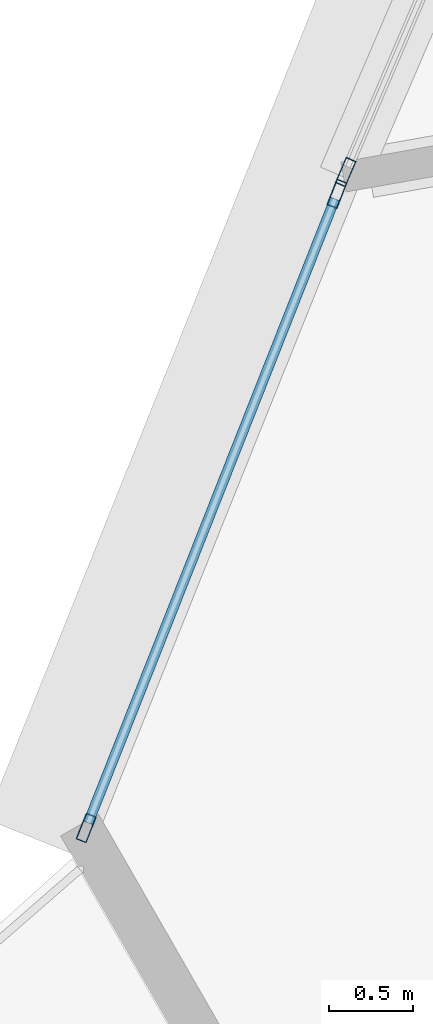
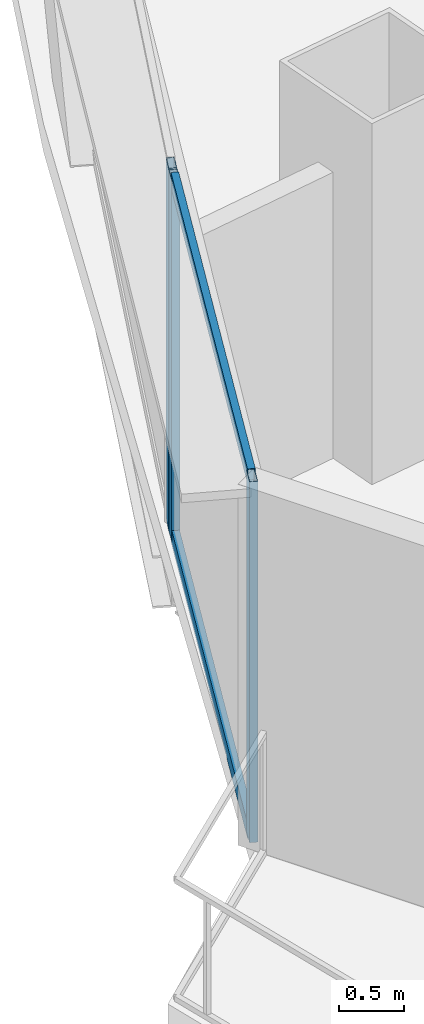
# One storey, part 4 of 38: 5 members, 2 elements without a shape of their own.
"""IFC4 building model written with IfcOpenShell, lengths in metres."""

from ifc_helpers import new_model, si_unit, direction, frame, origin, origin_2d, place, context, subcontext, project, spatial, hollow_rectangle, extrude, source, transform, mapped, material, layer, layer_set, material_profile, profile_set, type_object, element, aggregate, save


model = new_model("IFC4")

# Units and contexts
model_context = context("Model", 3, precision=1e-05, world=origin(), true_north=direction((0.0, 1.0)))
body_context = subcontext(model_context, "Body", "Model", "MODEL_VIEW")
ifc_project = project(units=[si_unit("LENGTHUNIT", "METRE"), si_unit("AREAUNIT", "SQUARE_METRE"), si_unit("VOLUMEUNIT", "CUBIC_METRE"), si_unit("PLANEANGLEUNIT", "RADIAN"), si_unit("MASSUNIT", "GRAM", prefix="KILO"), si_unit("THERMODYNAMICTEMPERATUREUNIT", "KELVIN"), si_unit("POWERUNIT", "WATT")], contexts=[model_context])

# Site, building, storey
site_placement = place(None, origin())
site = spatial("IfcSite", under=ifc_project, at=site_placement, CompositionType="ELEMENT")
building_placement = place(site_placement, origin())
building = spatial("IfcBuilding", under=site, at=building_placement, Name="Yunzhuo Pagoda Commons", CompositionType="ELEMENT")
storey_placement = place(building_placement, frame((0.0, 0.0, 37.659912109375)))
storey = spatial("IfcBuildingStorey", under=building, at=storey_placement, Name="L09", CompositionType="ELEMENT", Elevation=37.659912109375)

# Curtain wall, members
ifc_material = material(Name="Anodized aluminium 6063-T6", Category="aluminium")
ifc_layer = layer(ifc_material, 0.1650390625)
ifc_layer_set = layer_set([ifc_layer], Name="Anodized aluminium 6063-T6")
curtain_wall_type = type_object("IfcCurtainWallType", Name="CW-LOW Low-Zone Ribbon Curtain Wall", PredefinedType="NOTDEFINED", material=ifc_layer_set)
curtain_wall_1_placement = place(storey_placement, origin())
curtain_wall_1 = element("IfcCurtainWall", 1, at=curtain_wall_1_placement, inside=storey, type_object=curtain_wall_type, Name="L09 curtain wall CW-L09-F3B5", PredefinedType="NOTDEFINED")
ifc_material_profile_1 = material_profile(ifc_material, hollow_rectangle(XDim=0.06005859375, YDim=0.139892578125, WallThickness=0.00341796875, at=origin_2d()), Name="Anodized aluminium 6063-T6")
ifc_profile_set_1 = profile_set([ifc_material_profile_1], Name="Anodized aluminium 6063-T6")
member_type_1 = type_object("IfcMemberType", Name="CW-LOW-T Transom RHS 140x60x3.5", PredefinedType="USERDEFINED", material=ifc_profile_set_1)
shared_shape_1 = source(origin(), body_context, "Body", "SweptSolid", [
    extrude(hollow_rectangle(XDim=0.06005859375, YDim=0.139892578125, WallThickness=0.00341796875, at=origin_2d()), origin(), (0.0, 0.0, 1.0), 3.9970703125),
])
member_1_placement = place(storey_placement, frame((5.85009765625, 26.14697265625, 0.030029296875), z_axis=(-0.36764906147, -0.929964605563, 0.0), x_axis=(0.929964605563, -0.36764906147, 0.0)))
member_1 = element("IfcMember", 2, at=member_1_placement, type_object=member_type_1, Name="CW transom 1.1", ObjectType="TRANSOM", PredefinedType="USERDEFINED", context=body_context, shape_type="MappedRepresentation", body=[
    mapped(shared_shape_1, transform((0.0, 0.0, 0.0), scale=1.0)),
])
member_2_placement = place(storey_placement, frame((5.85009765625, 26.14697265625, 3.340087890625), z_axis=(-0.36764906147, -0.929964605563, 0.0), x_axis=(0.929964605563, -0.36764906147, 0.0)))
member_2 = element("IfcMember", 3, at=member_2_placement, type_object=member_type_1, Name="CW transom 1.2", ObjectType="TRANSOM", PredefinedType="USERDEFINED", context=body_context, shape_type="MappedRepresentation", body=[
    mapped(shared_shape_1, transform((0.0, 0.0, 0.0), scale=1.0)),
])

# Curtain wall, member
curtain_wall_2_placement = place(storey_placement, origin())
curtain_wall_2 = element("IfcCurtainWall", 4, at=curtain_wall_2_placement, inside=storey, type_object=curtain_wall_type, Name="L09 curtain wall CW-L09-F3B4", PredefinedType="NOTDEFINED")
ifc_material_profile_2 = material_profile(ifc_material, hollow_rectangle(XDim=0.06494140625, YDim=0.1650390625, WallThickness=0.00390625, at=origin_2d()), Name="Anodized aluminium 6063-T6")
ifc_profile_set_2 = profile_set([ifc_material_profile_2], Name="Anodized aluminium 6063-T6")
member_type_2 = type_object("IfcMemberType", Name="CW-LOW-M Mullion RHS 165x65x4", PredefinedType="MULLION", material=ifc_profile_set_2)
shared_shape_2 = source(origin(), body_context, "Body", "SweptSolid", [
    extrude(hollow_rectangle(XDim=0.06494140625, YDim=0.1650390625, WallThickness=0.00390625, at=origin_2d()), origin(), (0.0, 0.0, 1.0), 3.3701171875),
])
member_3_placement = place(storey_placement, frame((5.91455078125, 26.306640625, 0.0), z_axis=(0.0, 0.0, 1.0), x_axis=(0.918745212535, -0.394850901535, 0.0)))
member_3 = element("IfcMember", 5, at=member_3_placement, type_object=member_type_2, Name="CW mullion 2", PredefinedType="MULLION", context=body_context, shape_type="MappedRepresentation", body=[
    mapped(shared_shape_2, transform((0.0, 0.0, 0.0), scale=1.0)),
])
aggregate(curtain_wall_2, [member_3])

# Member
member_4_placement = place(storey_placement, frame((5.8623046875, 26.177001953125, 0.0), z_axis=(0.0, 0.0, 1.0), x_axis=(0.929958215398, -0.367665224919, 0.0)))
member_4 = element("IfcMember", 6, at=member_4_placement, type_object=member_type_2, Name="CW mullion 1", PredefinedType="MULLION", context=body_context, shape_type="MappedRepresentation", body=[
    mapped(shared_shape_2, transform((0.0, 0.0, 0.0), scale=1.0)),
])

member_5_placement = place(storey_placement, frame((4.36865234375, 22.399658203125, 0.0), z_axis=(0.0, 0.0, 1.0), x_axis=(0.929958215398, -0.367665224919, 0.0)))
member_5 = element("IfcMember", 7, at=member_5_placement, type_object=member_type_2, Name="CW mullion 2", PredefinedType="MULLION", context=body_context, shape_type="MappedRepresentation", body=[
    mapped(shared_shape_2, transform((0.0, 0.0, 0.0), scale=1.0)),
])

aggregate(curtain_wall_1, [member_4, member_5, member_1, member_2])

save(model, "model.ifc")
